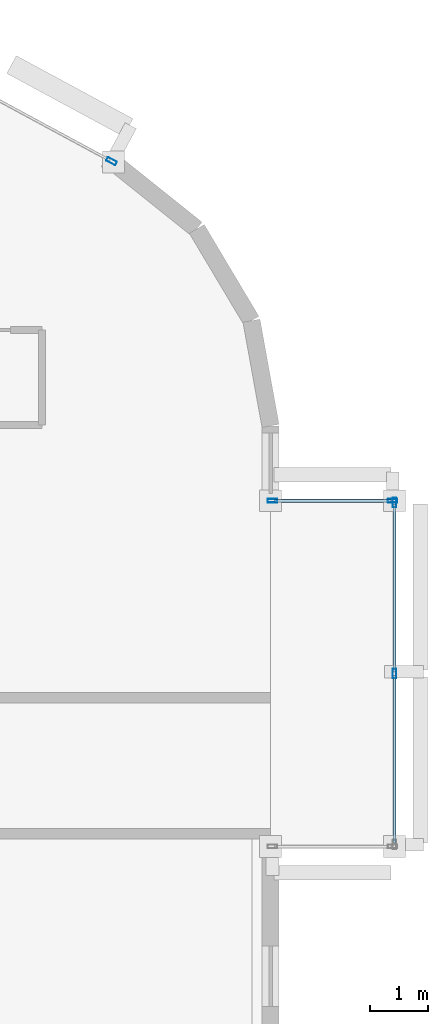
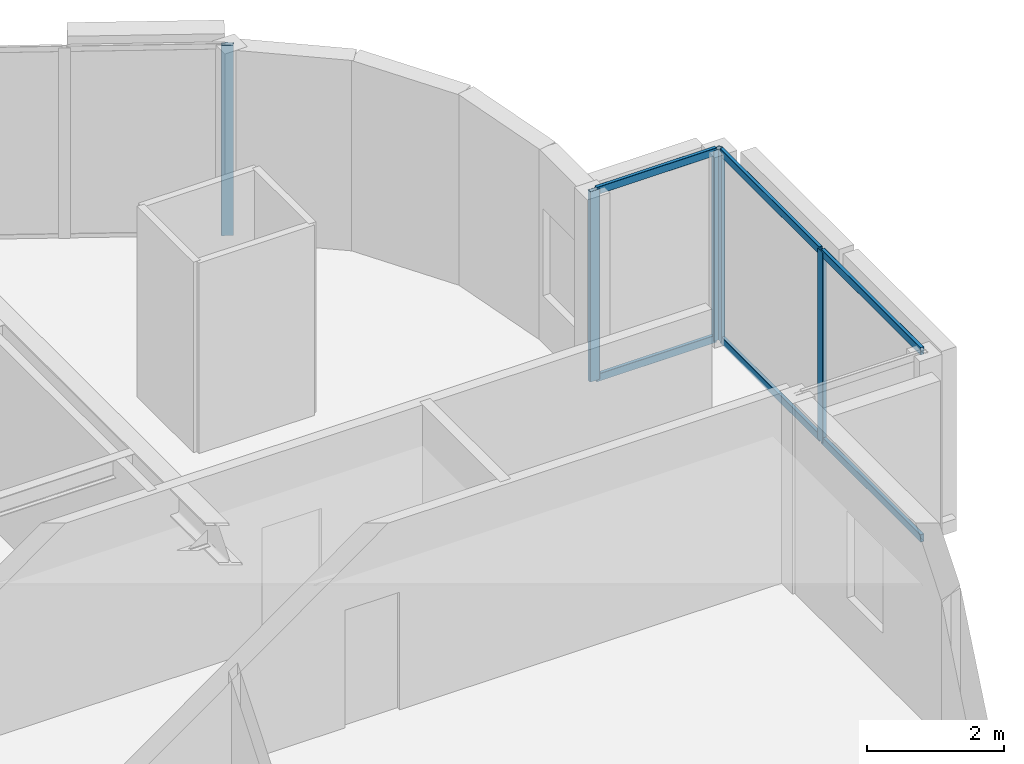
# One storey, part 7 of 15: 11 members, 3 elements without a shape of their own.
"""IFC4 building model written with IfcOpenShell, lengths in metres."""

import ifcopenshell
import ifcopenshell.guid

model = None  # the IFC model being written
_history = None  # IfcOwnerHistory: only IFC2X3 demands one
_inside = {}  # id of a spatial element -> (the spatial element, [elements in it])
_under = {}  # id of a project, library or spatial element -> (it, [spatial elements below it])
_declared = {}  # id of a project -> (the project, [libraries it declares])
_typed = {}  # id of a type object -> (the type object, [elements of that type])
_made_of = {}  # id of a material, layer set ... -> (it, [elements and type objects made of it])


def new_model(schema):
    """Start an empty IFC model of exactly this schema.

    Asked for "IFC4X3", IfcOpenShell would pick the latest addendum, in which some entities
    have other attributes; the version numbers below select the first issue.
    IFC2X3 requires an IfcOwnerHistory on every rooted entity: one is made here for all.
    """
    global model, _history
    if schema == "IFC4X3":
        model = ifcopenshell.file(schema_version=(4, 3, 0, 0))
    else:
        model = ifcopenshell.file(schema=schema)
    _inside.clear()
    _under.clear()
    _declared.clear()
    _typed.clear()
    _made_of.clear()
    _history = None
    if model.schema == "IFC2X3":
        org = make("IfcOrganization", Name="unknown")
        user = make(
            "IfcPersonAndOrganization",
            ThePerson=make("IfcPerson", FamilyName="unknown"),
            TheOrganization=org,
        )
        app = make(
            "IfcApplication",
            ApplicationDeveloper=org,
            Version="unknown",
            ApplicationFullName="unknown",
            ApplicationIdentifier="unknown",
        )
        _history = make(
            "IfcOwnerHistory",
            OwningUser=user,
            OwningApplication=app,
            ChangeAction="ADDED",
            CreationDate=0,
        )
    return model


def make(cls, **values):
    """One entity of the class cls with the attributes given. An attribute that is None is left unset."""
    return model.create_entity(
        cls, **{name: value for name, value in values.items() if value is not None}
    )


def rooted(cls, **values):
    """An entity with a GlobalId (a new one), such as an element, a storey or a relation."""
    return make(cls, GlobalId=ifcopenshell.guid.new(), OwnerHistory=_history, **values)


def si_unit(unit_type, name, prefix=None):
    """IfcSIUnit, for example si_unit("LENGTHUNIT", "METRE", prefix="MILLI")."""
    return make("IfcSIUnit", UnitType=unit_type, Prefix=prefix, Name=name)


def assignment(units):
    """IfcUnitAssignment: the units of a project."""
    return None if units is None else make("IfcUnitAssignment", Units=units)


def point(xyz):
    """IfcCartesianPoint."""
    return None if xyz is None else make("IfcCartesianPoint", Coordinates=xyz)


def direction(xyz):
    """IfcDirection."""
    return None if xyz is None else make("IfcDirection", DirectionRatios=xyz)


def frame(location, z_axis=None, x_axis=None):
    """IfcAxis2Placement3D, a coordinate frame: its origin and axes. An axis left out is left unset."""
    return make(
        "IfcAxis2Placement3D",
        Location=point(location),
        Axis=direction(z_axis),
        RefDirection=direction(x_axis),
    )


def frame_2d(location, x_axis=None):
    """IfcAxis2Placement2D, a coordinate frame in the plane: its origin and x axis."""
    return make(
        "IfcAxis2Placement2D", Location=point(location), RefDirection=direction(x_axis)
    )


def origin():
    """The frame at (0, 0, 0) with its axes left unset."""
    return frame((0.0, 0.0, 0.0))


def origin_2d():
    """The frame at (0, 0) in the plane with its x axis left unset."""
    return frame_2d((0.0, 0.0))


def place(relative_to, where):
    """IfcLocalPlacement: puts the frame where relative to a parent placement (None: the world)."""
    return make(
        "IfcLocalPlacement", PlacementRelTo=relative_to, RelativePlacement=where
    )


def context(
    kind, dimensions, precision=None, world=None, true_north=None, identifier=None
):
    """IfcGeometricRepresentationContext, for example the 3D "Model" context."""
    return make(
        "IfcGeometricRepresentationContext",
        ContextIdentifier=identifier,
        ContextType=kind,
        CoordinateSpaceDimension=dimensions,
        Precision=precision,
        WorldCoordinateSystem=world,
        TrueNorth=true_north,
    )


def subcontext(parent, identifier, kind, view, scale=None):
    """IfcGeometricRepresentationSubContext, for example "Body" below "Model"."""
    return make(
        "IfcGeometricRepresentationSubContext",
        ContextIdentifier=identifier,
        ContextType=kind,
        ParentContext=parent,
        TargetScale=scale,
        TargetView=view,
    )


def project(units=None, contexts=None):
    """IfcProject with its units and contexts."""
    return rooted(
        "IfcProject",
        Name="project",
        RepresentationContexts=contexts,
        UnitsInContext=assignment(units),
    )


def spatial(cls, under=None, at=None, **own):
    """A site, building, storey or space (cls), placed at a placement, below another one or the project."""
    s = rooted(cls, ObjectPlacement=at, **own)
    if under is not None:
        _under.setdefault(under.id(), (under, []))[1].append(s)
    return s


def profile(cls, at=None, kind="AREA", **sizes):
    """A parametric profile (cls). Its sizes go by their IFC names, for example OverallWidth=200.0."""
    return make(cls, ProfileType=kind, Position=at, **sizes)


def hollow_rectangle(**sizes):
    """IfcRectangleHollowProfileDef."""
    return profile("IfcRectangleHollowProfileDef", **sizes)


def extrude(swept, where, along, depth):
    """IfcExtrudedAreaSolid: the profile swept, set in the frame where, extruded along a direction by depth."""
    return make(
        "IfcExtrudedAreaSolid",
        SweptArea=swept,
        Position=where,
        ExtrudedDirection=direction(along),
        Depth=depth,
    )


def shape(context_of_items, identifier, shape_type, items):
    """IfcShapeRepresentation: the items that make up one representation, for example the "Body"."""
    return make(
        "IfcShapeRepresentation",
        ContextOfItems=context_of_items,
        RepresentationIdentifier=identifier,
        RepresentationType=shape_type,
        Items=items,
    )


def material(Name=None, Category=None):
    """IfcMaterial."""
    return make("IfcMaterial", Name=Name, Category=Category)


def layer(
    of_material, thickness, ventilated=None, Name=None, Category=None, Priority=None
):
    """IfcMaterialLayer: one layer of a wall or slab, of a material (None: an air gap)."""
    return make(
        "IfcMaterialLayer",
        Material=of_material,
        LayerThickness=thickness,
        IsVentilated=ventilated,
        Name=Name,
        Category=Category,
        Priority=Priority,
    )


def layer_set(layers, Name=None):
    """IfcMaterialLayerSet."""
    return make("IfcMaterialLayerSet", MaterialLayers=layers, LayerSetName=Name)


def material_profile(
    of_material, cross_section, Name=None, Category=None, Priority=None
):
    """IfcMaterialProfile: a cross section and its material."""
    return make(
        "IfcMaterialProfile",
        Name=Name,
        Material=of_material,
        Profile=cross_section,
        Priority=Priority,
        Category=Category,
    )


def profile_set(profiles, Name=None, composite=None):
    """IfcMaterialProfileSet."""
    return make(
        "IfcMaterialProfileSet",
        Name=Name,
        MaterialProfiles=profiles,
        CompositeProfile=composite,
    )


def made_of(thing, what):
    """Note that an element or type object is made of a material, layer set ...; save() writes the relation."""
    if what is not None:
        _made_of.setdefault(what.id(), (what, []))[1].append(thing)
    return thing


def type_object(cls, material=None, **own):
    """A type object (cls), such as IfcWallType, which elements share."""
    return made_of(rooted(cls, **own), material)


def element(
    cls,
    number,
    at=None,
    inside=None,
    cuts=None,
    type_object=None,
    material=None,
    context=None,
    identifier="Body",
    shape_type=None,
    held_by="IfcProductDefinitionShape",
    body=None,
    shapes=None,
    **own,
):
    """One element of the class cls, such as IfcWall. Its Tag is "e" and its number.

    at: its placement. inside: the storey or other place that contains it. cuts: it is an
    opening in that element (IfcRelVoidsElement). A single representation is given by context,
    identifier, shape_type and body (its items); several are given by shapes. held_by: the class
    of the entity that holds the representations. save() writes the other relations.
    """
    e = rooted(cls, Tag="e%d" % number, ObjectPlacement=at, **own)
    if body is not None:
        shapes = [shape(context, identifier, shape_type, body)]
    if shapes is not None:
        e.Representation = make(held_by, Representations=shapes)
    if inside is not None:
        _inside.setdefault(inside.id(), (inside, []))[1].append(e)
    if cuts is not None:
        rooted(
            "IfcRelVoidsElement", RelatingBuildingElement=cuts, RelatedOpeningElement=e
        )
    if type_object is not None:
        _typed.setdefault(type_object.id(), (type_object, []))[1].append(e)
    return made_of(e, material)


def aggregate(whole, parts):
    """IfcRelAggregates: a whole, such as a stair, and the parts it consists of."""
    return rooted("IfcRelAggregates", RelatingObject=whole, RelatedObjects=parts)


def save(model, path):
    """Write the relations noted so far, then the file.

    IfcRelAggregates (storeys below a building ...), IfcRelContainedInSpatialStructure (elements
    in a storey), IfcRelDefinesByType, IfcRelAssociatesMaterial and IfcRelDeclares: one each for
    every whole, place, type object, material and project.
    """
    for whole, parts in _under.values():
        aggregate(whole, parts)
    for where, things in _inside.values():
        rooted(
            "IfcRelContainedInSpatialStructure",
            RelatedElements=things,
            RelatingStructure=where,
        )
    for kind, things in _typed.values():
        rooted("IfcRelDefinesByType", RelatedObjects=things, RelatingType=kind)
    for what, things in _made_of.values():
        rooted("IfcRelAssociatesMaterial", RelatedObjects=things, RelatingMaterial=what)
    for by, libraries in _declared.values():
        rooted("IfcRelDeclares", RelatingContext=by, RelatedDefinitions=libraries)
    model.write(path)


model = new_model("IFC4")

# Units and contexts
model_context = context("Model", 3, precision=1e-05, world=origin(), true_north=direction((0.0, 1.0)))
body_context = subcontext(model_context, "Body", "Model", "MODEL_VIEW")
ifc_project = project(units=[si_unit("LENGTHUNIT", "METRE"), si_unit("AREAUNIT", "SQUARE_METRE"), si_unit("VOLUMEUNIT", "CUBIC_METRE"), si_unit("PLANEANGLEUNIT", "RADIAN"), si_unit("MASSUNIT", "GRAM", prefix="KILO")], contexts=[model_context])

# Site, building, storey
site_placement = place(None, origin())
site = spatial("IfcSite", under=ifc_project, at=site_placement, CompositionType="ELEMENT")
building_placement = place(site_placement, origin())
building = spatial("IfcBuilding", under=site, at=building_placement, Name="An Khanh Terracotta Commons", CompositionType="ELEMENT")
storey_placement = place(building_placement, frame((0.0, 0.0, 208.5)))
storey = spatial("IfcBuildingStorey", under=building, at=storey_placement, Name="L54", CompositionType="ELEMENT", Elevation=208.5)

# Curtain wall, members
ifc_material = material(Name="Anodised Aluminium 6063-T6", Category="aluminium")
ifc_layer_1 = layer(ifc_material, 0.239990234375, Name="Anodised Aluminium 6063-T6")
ifc_layer_set_1 = layer_set([ifc_layer_1], Name="Anodised Aluminium 6063-T6")
curtain_wall_type_1 = type_object("IfcCurtainWallType", Name="CW-SYS-04", PredefinedType="USERDEFINED", material=ifc_layer_set_1)
curtain_wall_1_placement = place(storey_placement, origin())
curtain_wall_1 = element("IfcCurtainWall", 1, at=curtain_wall_1_placement, inside=storey, type_object=curtain_wall_type_1, Name="L54 CW-04 Unitised Curtain Wall CW-L54-EBOX-1", ObjectType="UNITISED CURTAIN WALL", PredefinedType="USERDEFINED")
ifc_material_profile_1 = material_profile(ifc_material, hollow_rectangle(XDim=0.06494140625, YDim=0.1650390625, WallThickness=0.00390625, InnerFilletRadius=0.00390625, OuterFilletRadius=0.008056640625, at=origin_2d()), Name="RHS165x65x4")
ifc_profile_set_1 = profile_set([ifc_material_profile_1], Name="Anodised Aluminium 6063-T6")
member_type_1 = type_object("IfcMemberType", Name="CWM-RHS165x65x4", PredefinedType="MULLION", material=ifc_profile_set_1)
member_1_placement = place(storey_placement, frame((70.75, 25.60009765625, 0.0), z_axis=(0.0, 0.0, 1.0), x_axis=(-1.0, 0.0, 0.0)))
member_1 = element("IfcMember", 2, at=member_1_placement, type_object=member_type_1, Name="CW-04 mullion 2", PredefinedType="MULLION", context=body_context, shape_type="SweptSolid", body=[
    extrude(hollow_rectangle(XDim=0.06494140625, YDim=0.1650390625, WallThickness=0.00390625, InnerFilletRadius=0.00390625, OuterFilletRadius=0.008056640625, at=origin_2d()), origin(), (0.0, 0.0, 1.0), 3.39990234375),
])
member_2_placement = place(storey_placement, frame((70.75, 28.5673828125, 0.0), z_axis=(0.0, 0.0, 1.0), x_axis=(-1.0, 0.0, 0.0)))
member_2 = element("IfcMember", 3, at=member_2_placement, type_object=member_type_1, Name="CW-04 mullion 3", PredefinedType="MULLION", context=body_context, shape_type="SweptSolid", body=[
    extrude(hollow_rectangle(XDim=0.06494140625, YDim=0.1650390625, WallThickness=0.00390625, InnerFilletRadius=0.00390625, OuterFilletRadius=0.008056640625, at=origin_2d()), origin(), (0.0, 0.0, 1.0), 3.39990234375),
])

curtain_wall_2_placement = place(storey_placement, origin())
curtain_wall_2 = element("IfcCurtainWall", 4, at=curtain_wall_2_placement, inside=storey, type_object=curtain_wall_type_1, Name="L54 CW-04 Unitised Curtain Wall CW-L54-EBOX-3", ObjectType="UNITISED CURTAIN WALL", PredefinedType="USERDEFINED")
member_3_placement = place(storey_placement, frame((70.717529296875, 28.60009765625, 0.0), z_axis=(0.0, 0.0, 1.0), x_axis=(0.0, -1.0, 0.0)))
member_3 = element("IfcMember", 5, at=member_3_placement, type_object=member_type_1, Name="CW-04 mullion 1", PredefinedType="MULLION", context=body_context, shape_type="SweptSolid", body=[
    extrude(hollow_rectangle(XDim=0.06494140625, YDim=0.1650390625, WallThickness=0.00390625, InnerFilletRadius=0.00390625, OuterFilletRadius=0.008056640625, at=origin_2d()), origin(), (0.0, 0.0, 1.0), 3.39990234375),
])
member_4_placement = place(storey_placement, frame((68.632568359375, 28.60009765625, 0.0), z_axis=(0.0, 0.0, 1.0), x_axis=(0.0, -1.0, 0.0)))
member_4 = element("IfcMember", 6, at=member_4_placement, type_object=member_type_1, Name="CW-04 mullion 2", PredefinedType="MULLION", context=body_context, shape_type="SweptSolid", body=[
    extrude(hollow_rectangle(XDim=0.06494140625, YDim=0.1650390625, WallThickness=0.00390625, InnerFilletRadius=0.00390625, OuterFilletRadius=0.008056640625, at=origin_2d()), origin(), (0.0, 0.0, 1.0), 3.39990234375),
])

# Curtain wall, member
ifc_layer_2 = layer(ifc_material, 0.2099609375, Name="Anodised Aluminium 6063-T6")
ifc_layer_set_2 = layer_set([ifc_layer_2], Name="Anodised Aluminium 6063-T6")
curtain_wall_type_2 = type_object("IfcCurtainWallType", Name="CW-SYS-03", PredefinedType="USERDEFINED", material=ifc_layer_set_2)
curtain_wall_3_placement = place(storey_placement, origin())
curtain_wall_3 = element("IfcCurtainWall", 7, at=curtain_wall_3_placement, inside=storey, type_object=curtain_wall_type_2, Name="L54 CW-03 Unitised Curtain Wall CW-L54-16", ObjectType="UNITISED CURTAIN WALL", PredefinedType="USERDEFINED")
ifc_material_profile_2 = material_profile(ifc_material, hollow_rectangle(XDim=0.070068359375, YDim=0.179931640625, WallThickness=0.00390625, InnerFilletRadius=0.00390625, OuterFilletRadius=0.008056640625, at=origin_2d()), Name="RHS180x70x4")
ifc_profile_set_2 = profile_set([ifc_material_profile_2], Name="Anodised Aluminium 6063-T6")
member_type_2 = type_object("IfcMemberType", Name="CWM-RHS180x70x4", PredefinedType="MULLION", material=ifc_profile_set_2)
member_5_placement = place(storey_placement, frame((65.84130859375, 34.49072265625, 0.0), z_axis=(0.0, 0.0, 1.0), x_axis=(-0.47538088298, -0.879780095306, 0.0)))
member_5 = element("IfcMember", 8, at=member_5_placement, type_object=member_type_2, Name="CW-03 mullion 1", PredefinedType="MULLION", context=body_context, shape_type="SweptSolid", body=[
    extrude(hollow_rectangle(XDim=0.070068359375, YDim=0.179931640625, WallThickness=0.00390625, InnerFilletRadius=0.00390625, OuterFilletRadius=0.008056640625, at=origin_2d()), origin(), (0.0, 0.0, 1.0), 3.39990234375),
])
aggregate(curtain_wall_3, [member_5])

# Member
ifc_material_profile_3 = material_profile(ifc_material, hollow_rectangle(XDim=0.06005859375, YDim=0.135009765625, WallThickness=0.003662109375, InnerFilletRadius=0.003662109375, OuterFilletRadius=0.007080078125, at=origin_2d()), Name="RHS135x60x3.6")
ifc_profile_set_3 = profile_set([ifc_material_profile_3], Name="Anodised Aluminium 6063-T6")
member_type_3 = type_object("IfcMemberType", Name="CWT-RHS135x60x3.6", PredefinedType="USERDEFINED", material=ifc_profile_set_3)
member_6_placement = place(storey_placement, frame((70.75, 22.6650390625, 0.030029296875), z_axis=(0.0, 1.0, 0.0), x_axis=(-1.0, 0.0, 0.0)))
member_6 = element("IfcMember", 9, at=member_6_placement, type_object=member_type_3, Name="CW-04 transom 1.1", ObjectType="TRANSOM", PredefinedType="USERDEFINED", context=body_context, shape_type="SweptSolid", body=[
    extrude(hollow_rectangle(XDim=0.06005859375, YDim=0.135009765625, WallThickness=0.003662109375, InnerFilletRadius=0.003662109375, OuterFilletRadius=0.007080078125, at=origin_2d()), origin(), (0.0, 0.0, 1.0), 2.90234375),
])

member_7_placement = place(storey_placement, frame((70.75, 22.6650390625, 3.3701171875), z_axis=(0.0, 1.0, 0.0), x_axis=(-1.0, 0.0, 0.0)))
member_7 = element("IfcMember", 10, at=member_7_placement, type_object=member_type_3, Name="CW-04 transom 1.2", ObjectType="TRANSOM", PredefinedType="USERDEFINED", context=body_context, shape_type="SweptSolid", body=[
    extrude(hollow_rectangle(XDim=0.06005859375, YDim=0.135009765625, WallThickness=0.003662109375, InnerFilletRadius=0.003662109375, OuterFilletRadius=0.007080078125, at=origin_2d()), origin(), (0.0, 0.0, 1.0), 2.90234375),
])

member_8_placement = place(storey_placement, frame((70.75, 25.632568359375, 0.030029296875), z_axis=(0.0, 1.0, 0.0), x_axis=(-1.0, 0.0, 0.0)))
member_8 = element("IfcMember", 11, at=member_8_placement, type_object=member_type_3, Name="CW-04 transom 2.1", ObjectType="TRANSOM", PredefinedType="USERDEFINED", context=body_context, shape_type="SweptSolid", body=[
    extrude(hollow_rectangle(XDim=0.06005859375, YDim=0.135009765625, WallThickness=0.003662109375, InnerFilletRadius=0.003662109375, OuterFilletRadius=0.007080078125, at=origin_2d()), origin(), (0.0, 0.0, 1.0), 2.90234375),
])

member_9_placement = place(storey_placement, frame((70.75, 25.632568359375, 3.3701171875), z_axis=(0.0, 1.0, 0.0), x_axis=(-1.0, 0.0, 0.0)))
member_9 = element("IfcMember", 12, at=member_9_placement, type_object=member_type_3, Name="CW-04 transom 2.2", ObjectType="TRANSOM", PredefinedType="USERDEFINED", context=body_context, shape_type="SweptSolid", body=[
    extrude(hollow_rectangle(XDim=0.06005859375, YDim=0.135009765625, WallThickness=0.003662109375, InnerFilletRadius=0.003662109375, OuterFilletRadius=0.007080078125, at=origin_2d()), origin(), (0.0, 0.0, 1.0), 2.90234375),
])

aggregate(curtain_wall_1, [member_1, member_2, member_6, member_7, member_8, member_9])

member_10_placement = place(storey_placement, frame((70.68505859375, 28.60009765625, 0.030029296875), z_axis=(-1.0, 0.0, 0.0), x_axis=(0.0, -1.0, 0.0)))
member_10 = element("IfcMember", 13, at=member_10_placement, type_object=member_type_3, Name="CW-04 transom 1.1", ObjectType="TRANSOM", PredefinedType="USERDEFINED", context=body_context, shape_type="SweptSolid", body=[
    extrude(hollow_rectangle(XDim=0.06005859375, YDim=0.135009765625, WallThickness=0.003662109375, InnerFilletRadius=0.003662109375, OuterFilletRadius=0.007080078125, at=origin_2d()), origin(), (0.0, 0.0, 1.0), 2.02001953125),
])

member_11_placement = place(storey_placement, frame((70.68505859375, 28.60009765625, 3.3701171875), z_axis=(-1.0, 0.0, 0.0), x_axis=(0.0, -1.0, 0.0)))
member_11 = element("IfcMember", 14, at=member_11_placement, type_object=member_type_3, Name="CW-04 transom 1.2", ObjectType="TRANSOM", PredefinedType="USERDEFINED", context=body_context, shape_type="SweptSolid", body=[
    extrude(hollow_rectangle(XDim=0.06005859375, YDim=0.135009765625, WallThickness=0.003662109375, InnerFilletRadius=0.003662109375, OuterFilletRadius=0.007080078125, at=origin_2d()), origin(), (0.0, 0.0, 1.0), 2.02001953125),
])

aggregate(curtain_wall_2, [member_3, member_4, member_10, member_11])

save(model, "model.ifc")
